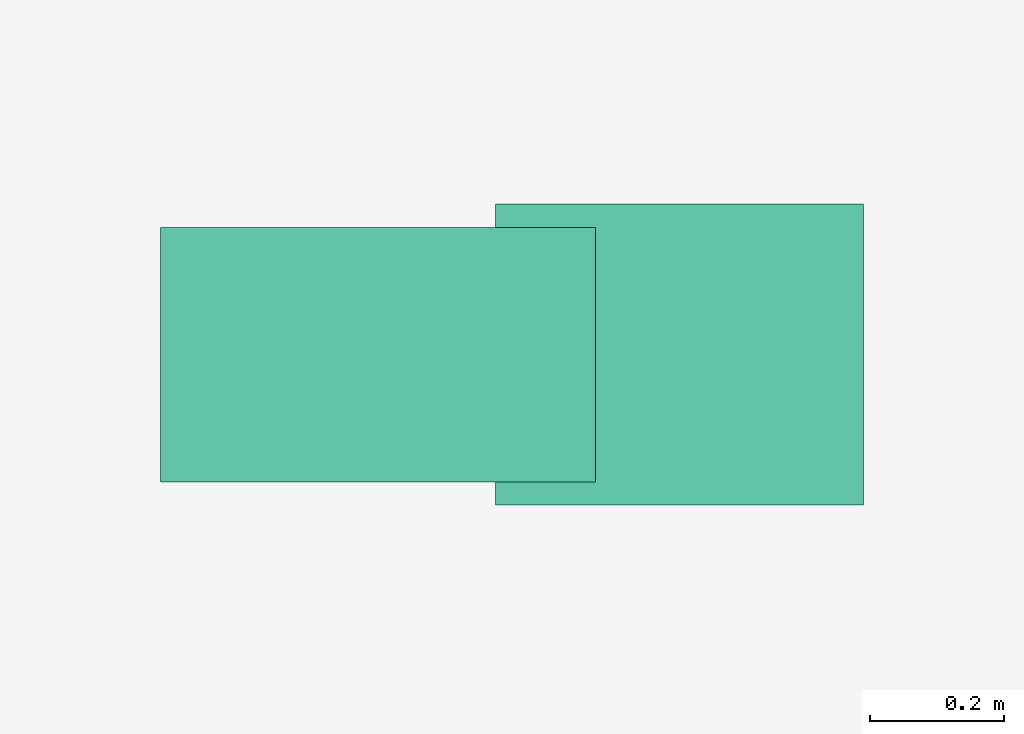
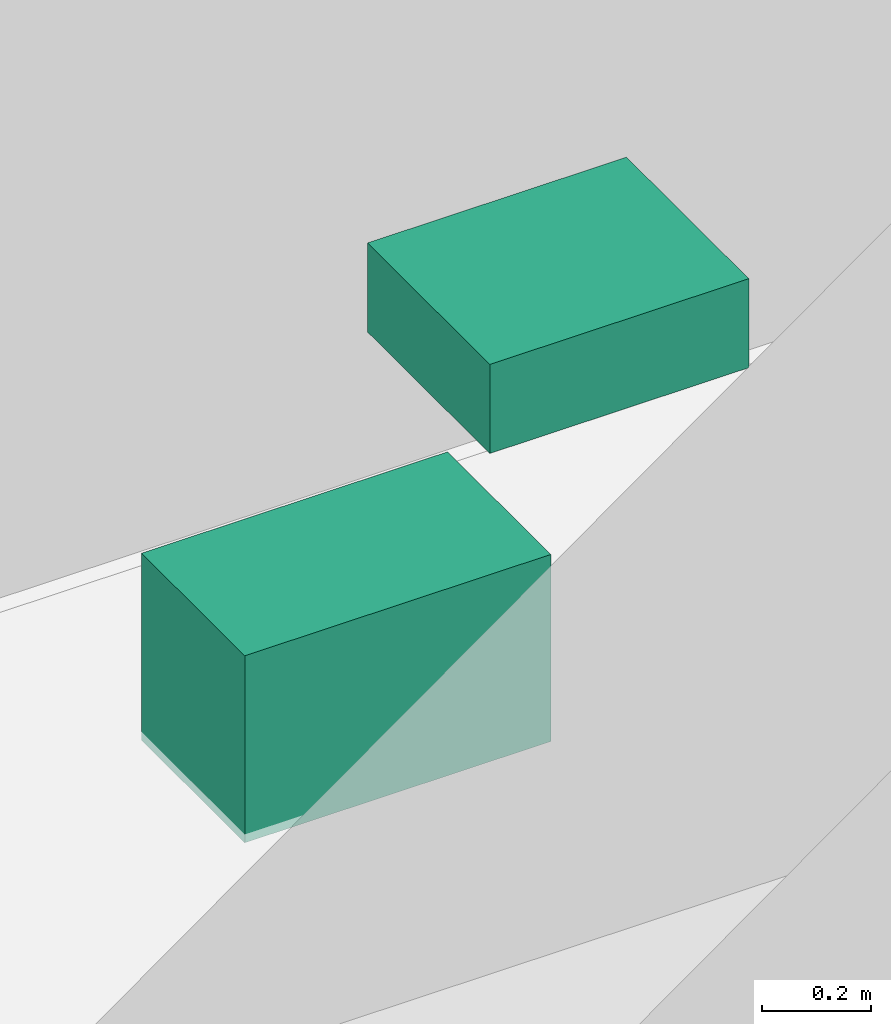
# One storey, part 15 of 15: 2 sanitary terminals.
"""IFC4 building model written with IfcOpenShell, lengths in metres."""

from ifc_helpers import new_model, si_unit, direction, frame, origin, origin_2d, place, context, subcontext, project, spatial, rectangle, extrude, material, type_object, element, save


model = new_model("IFC4")

# Units and contexts
model_context = context("Model", 3, precision=1e-05, world=origin(), true_north=direction((0.0, 1.0)))
body_context = subcontext(model_context, "Body", "Model", "MODEL_VIEW")
ifc_project = project(units=[si_unit("LENGTHUNIT", "METRE"), si_unit("AREAUNIT", "SQUARE_METRE"), si_unit("VOLUMEUNIT", "CUBIC_METRE"), si_unit("PLANEANGLEUNIT", "RADIAN"), si_unit("MASSUNIT", "GRAM", prefix="KILO")], contexts=[model_context])

# Site, building, storey
site_placement = place(None, origin())
site = spatial("IfcSite", under=ifc_project, at=site_placement, CompositionType="ELEMENT")
building_placement = place(site_placement, origin())
building = spatial("IfcBuilding", under=site, at=building_placement, Name="Savorim Split Tower", CompositionType="ELEMENT")
storey_placement = place(building_placement, frame((0.0, 0.0, 304.800048828125)))
storey = spatial("IfcBuildingStorey", under=building, at=storey_placement, Name="Crown L81 Plant", CompositionType="ELEMENT", Elevation=304.800048828125)

# Sanitary terminals
ifc_material = material(Name="Vitreous China Sanitaryware")
sanitary_terminal_type_1 = type_object("IfcSanitaryTerminalType", Name="SAN-WC-PAN", PredefinedType="TOILETPAN", material=ifc_material)
sanitary_terminal_1_placement = place(storey_placement, frame((-4.35009765625, -8.3701171875, 0.0), z_axis=(0.0, 0.0, 1.0), x_axis=(1.0, 0.0, 0.0)))
element("IfcSanitaryTerminal", 1, at=sanitary_terminal_1_placement, inside=storey, type_object=sanitary_terminal_type_1, Name="Crown L81 Plant Public WC WC Pan", PredefinedType="TOILETPAN", context=body_context, shape_type="SweptSolid", body=[
    extrude(rectangle(XDim=0.64990234375, YDim=0.3798828125, at=origin_2d()), origin(), (0.0, 0.0, 1.0), 0.419921875),
])
sanitary_terminal_type_2 = type_object("IfcSanitaryTerminalType", Name="SAN-WHB-550", PredefinedType="WASHHANDBASIN", material=ifc_material)
sanitary_terminal_2_placement = place(storey_placement, frame((-3.89990234375, -8.3701171875, 0.72021484375), z_axis=(0.0, 0.0, 1.0), x_axis=(1.0, 0.0, 0.0)))
element("IfcSanitaryTerminal", 2, at=sanitary_terminal_2_placement, inside=storey, type_object=sanitary_terminal_type_2, Name="Crown L81 Plant Public WC Washhand Basin", PredefinedType="WASHHANDBASIN", context=body_context, shape_type="SweptSolid", body=[
    extrude(rectangle(XDim=0.550048828125, YDim=0.449951171875, at=origin_2d()), origin(), (0.0, 0.0, 1.0), 0.199951171875),
])

save(model, "model.ifc")
